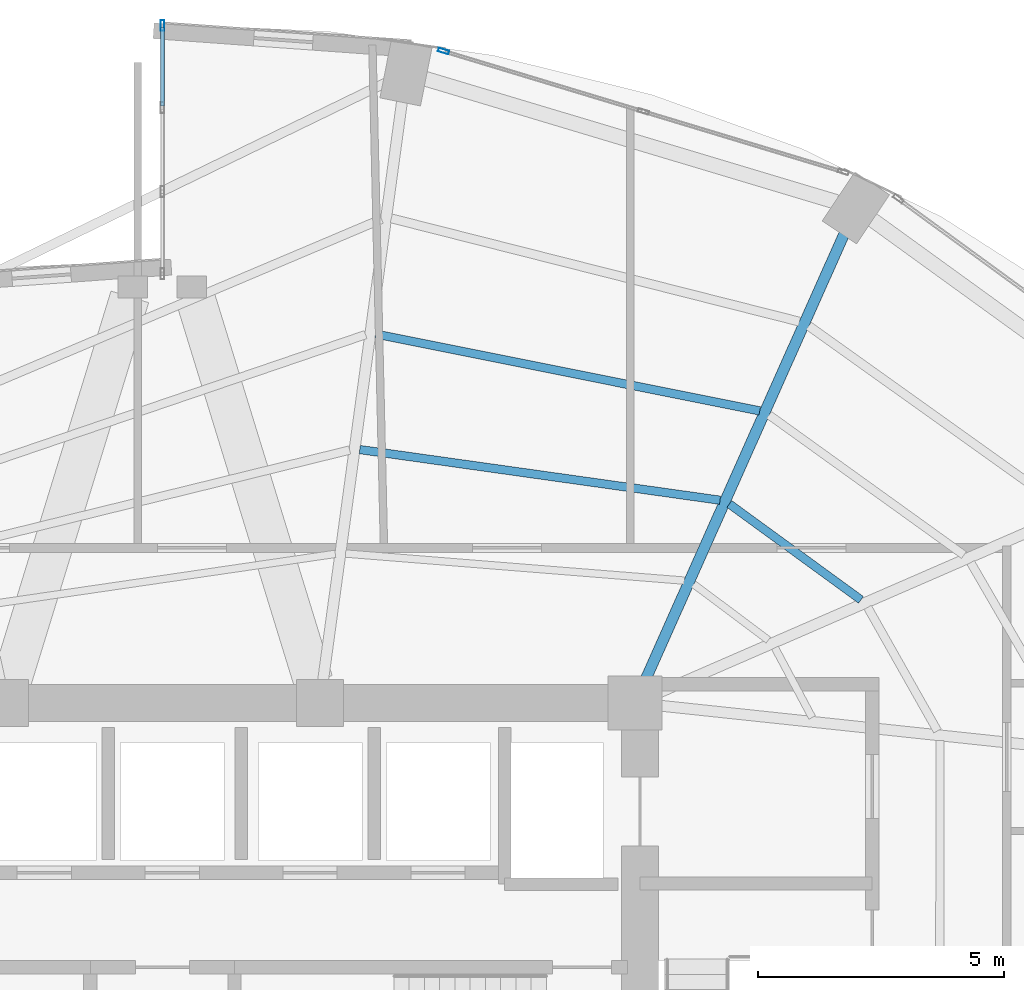
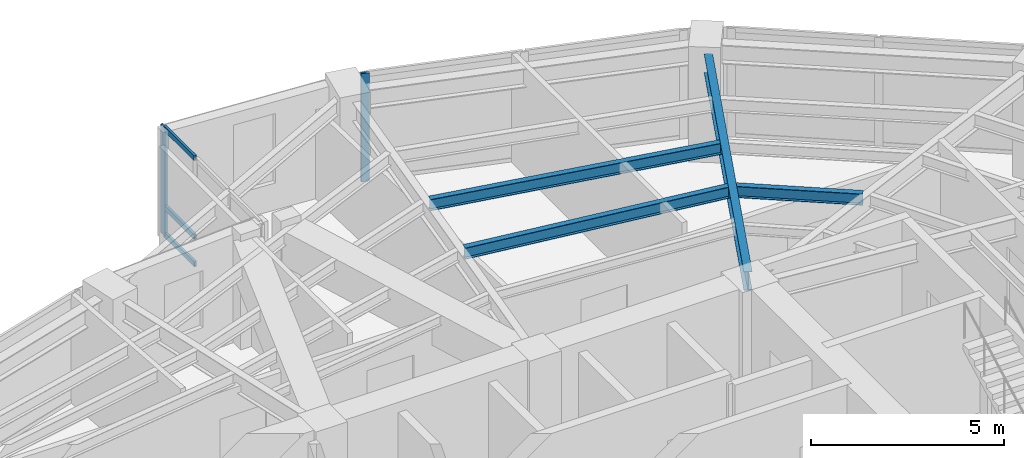
# One storey, part 16 of 24: 5 members, 4 beams, 2 elements without a shape of their own.
"""IFC4 building model written with IfcOpenShell, lengths in metres."""

from ifc_helpers import new_model, si_unit, direction, frame, origin, origin_2d, place, context, subcontext, project, spatial, hollow_rectangle, i_section, extrude, material, layer, layer_set, material_profile, profile_set, type_object, element, aggregate, save


model = new_model("IFC4")

# Units and contexts
model_context = context("Model", 3, precision=1e-05, world=origin(), true_north=direction((0.0, 1.0)))
body_context = subcontext(model_context, "Body", "Model", "MODEL_VIEW")
ifc_project = project(units=[si_unit("LENGTHUNIT", "METRE"), si_unit("AREAUNIT", "SQUARE_METRE"), si_unit("VOLUMEUNIT", "CUBIC_METRE"), si_unit("PLANEANGLEUNIT", "RADIAN"), si_unit("MASSUNIT", "GRAM", prefix="KILO")], contexts=[model_context])

# Site, building, storey
site_placement = place(None, origin())
site = spatial("IfcSite", under=ifc_project, at=site_placement, CompositionType="ELEMENT")
building_placement = place(site_placement, origin())
building = spatial("IfcBuilding", under=site, at=building_placement, Name="Lazwardi Medical Tower", CompositionType="ELEMENT")
storey_placement = place(building_placement, frame((0.0, 0.0, 103.632080078125)))
storey = spatial("IfcBuildingStorey", under=building, at=storey_placement, Name="L26", CompositionType="ELEMENT", Elevation=103.632080078125)

# Beams
ifc_material_1 = material(Name="Steel S355", Category="steel")
ifc_material_profile_1 = material_profile(ifc_material_1, i_section(OverallWidth=0.219970703125, OverallDepth=0.60009765625, WebThickness=0.011962890625, FlangeThickness=0.01904296875, at=origin_2d()), Name="IPE 600")
ifc_profile_set_1 = profile_set([ifc_material_profile_1], Name="Steel S355")
beam_type_1 = type_object("IfcBeamType", Name="BM-RG-W1", PredefinedType="BEAM", material=ifc_profile_set_1)
beam_1_placement = place(storey_placement, frame((49.847412109375, 45.127685546875, 3.1279296875), z_axis=(-0.407165924957, -0.913354208155, 0.0), x_axis=(0.913354208155, -0.407165924957, 0.0)))
element("IfcBeam", 1, at=beam_1_placement, inside=storey, type_object=beam_type_1, Name="Radial girder RG-02 R07 L26", PredefinedType="BEAM", context=body_context, shape_type="SweptSolid", body=[
    extrude(i_section(OverallWidth=0.219970703125, OverallDepth=0.60009765625, WebThickness=0.011962890625, FlangeThickness=0.01904296875, at=origin_2d()), origin(), (0.0, 0.0, 1.0), 9.896484375),
])
ifc_material_profile_2 = material_profile(ifc_material_1, i_section(OverallWidth=0.169921875, OverallDepth=0.360107421875, WebThickness=0.008056640625, FlangeThickness=0.0126953125, at=origin_2d()), Name="IPE 360")
ifc_profile_set_2 = profile_set([ifc_material_profile_2], Name="Steel S355")
beam_type_2 = type_object("IfcBeamType", Name="BM-SJ-02", PredefinedType="JOIST", material=ifc_profile_set_2)
beam_2_placement = place(storey_placement, frame((48.1328125, 41.53271484375, 3.247802734375), z_axis=(-0.980542906584, 0.196304886203, 0.0), x_axis=(-0.196304886203, -0.980542906584, 0.0)))
element("IfcBeam", 2, at=beam_2_placement, inside=storey, type_object=beam_type_2, Name="Secondary joist SJ-02 R2 B07 L26", PredefinedType="JOIST", context=body_context, shape_type="SweptSolid", body=[
    extrude(i_section(OverallWidth=0.169921875, OverallDepth=0.360107421875, WebThickness=0.008056640625, FlangeThickness=0.0126953125, at=origin_2d()), origin(), (0.0, 0.0, 1.0), 7.95947265625),
])
beam_3_placement = place(storey_placement, frame((50.18798828125, 37.6953125, 3.247802734375), z_axis=(-0.808301737247, 0.588768461761, 0.0), x_axis=(-0.588768461761, -0.808301737247, 0.0)))
element("IfcBeam", 3, at=beam_3_placement, inside=storey, type_object=beam_type_2, Name="Secondary joist SJ-02 R3 B06 L26", PredefinedType="JOIST", context=body_context, shape_type="SweptSolid", body=[
    extrude(i_section(OverallWidth=0.169921875, OverallDepth=0.360107421875, WebThickness=0.008056640625, FlangeThickness=0.0126953125, at=origin_2d()), origin(), (0.0, 0.0, 1.0), 3.307373046875),
])
beam_4_placement = place(storey_placement, frame((47.32568359375, 39.718994140625, 3.247802734375), z_axis=(-0.990260920731, 0.139223952222, 0.0), x_axis=(-0.139223952222, -0.990260920731, 0.0)))
element("IfcBeam", 4, at=beam_4_placement, inside=storey, type_object=beam_type_2, Name="Secondary joist SJ-02 R3 B07 L26", PredefinedType="JOIST", context=body_context, shape_type="SweptSolid", body=[
    extrude(i_section(OverallWidth=0.169921875, OverallDepth=0.360107421875, WebThickness=0.008056640625, FlangeThickness=0.0126953125, at=origin_2d()), origin(), (0.0, 0.0, 1.0), 7.3896484375),
])

# Curtain wall, member
ifc_material_2 = material(Name="Anodised bronze aluminium and solar control glazing", Category="aluminium")
ifc_layer_1 = layer(ifc_material_2, 0.195068359375)
ifc_layer_set_1 = layer_set([ifc_layer_1], Name="Anodised bronze aluminium and solar control glazing")
curtain_wall_type_1 = type_object("IfcCurtainWallType", Name="CW-SYS-03", PredefinedType="NOTDEFINED", material=ifc_layer_set_1)
curtain_wall_1_placement = place(storey_placement, origin())
curtain_wall_1 = element("IfcCurtainWall", 5, at=curtain_wall_1_placement, inside=storey, type_object=curtain_wall_type_1, Name="L26 Unitised bronze curtain wall CW-03", PredefinedType="NOTDEFINED")
ifc_material_3 = material(Name="Anodised bronze aluminium", Category="aluminium")
ifc_material_profile_3 = material_profile(ifc_material_3, hollow_rectangle(XDim=0.074951171875, YDim=0.219970703125, WallThickness=0.00390625, at=origin_2d()), Name="ALU-MULLION 220x75x4")
ifc_profile_set_3 = profile_set([ifc_material_profile_3], Name="Anodised bronze aluminium")
member_type_1 = type_object("IfcMemberType", Name="CW-MUL-01", PredefinedType="MULLION", material=ifc_profile_set_3)
member_1_placement = place(storey_placement, frame((41.710205078125, 48.840087890625, 0.0), z_axis=(0.0, 0.0, 1.0), x_axis=(-0.28937381157, -0.957216170558, 0.0)))
member_1 = element("IfcMember", 6, at=member_1_placement, type_object=member_type_1, Name="CW-03 mullion 3", PredefinedType="MULLION", context=body_context, shape_type="SweptSolid", body=[
    extrude(hollow_rectangle(XDim=0.074951171875, YDim=0.219970703125, WallThickness=0.00390625, at=origin_2d()), origin(), (0.0, 0.0, 1.0), 3.427978515625),
])
aggregate(curtain_wall_1, [member_1])

# Curtain wall, members
ifc_layer_2 = layer(ifc_material_2, 0.2099609375)
ifc_layer_set_2 = layer_set([ifc_layer_2], Name="Anodised bronze aluminium and solar control glazing")
curtain_wall_type_2 = type_object("IfcCurtainWallType", Name="CW-SYS-06", PredefinedType="NOTDEFINED", material=ifc_layer_set_2)
curtain_wall_2_placement = place(storey_placement, origin())
curtain_wall_2 = element("IfcCurtainWall", 7, at=curtain_wall_2_placement, inside=storey, type_object=curtain_wall_type_2, Name="L26 Unitised bronze curtain wall CW-06", PredefinedType="NOTDEFINED")
member_2_placement = place(storey_placement, frame((36.0, 49.362548828125, 0.0), z_axis=(0.0, 0.0, 1.0), x_axis=(1.0, 0.0, 0.0)))
member_2 = element("IfcMember", 8, at=member_2_placement, type_object=member_type_1, Name="CW-06 mullion 1", PredefinedType="MULLION", context=body_context, shape_type="SweptSolid", body=[
    extrude(hollow_rectangle(XDim=0.074951171875, YDim=0.219970703125, WallThickness=0.00390625, at=origin_2d()), origin(), (0.0, 0.0, 1.0), 3.427978515625),
])
ifc_material_profile_4 = material_profile(ifc_material_3, hollow_rectangle(XDim=0.074951171875, YDim=0.159912109375, WallThickness=0.00390625, at=origin_2d()), Name="ALU-TRANSOM 160x75x4")
ifc_profile_set_4 = profile_set([ifc_material_profile_4], Name="Anodised bronze aluminium")
member_type_2 = type_object("IfcMemberType", Name="CW-TRN-01", PredefinedType="USERDEFINED", material=ifc_profile_set_4)
member_3_placement = place(storey_placement, frame((36.0, 49.324951171875, 0.037353515625), z_axis=(0.0, -1.0, 0.0), x_axis=(1.0, 0.0, 0.0)))
member_3 = element("IfcMember", 9, at=member_3_placement, type_object=member_type_2, Name="CW-06 transom 1.1", ObjectType="TRANSOM", PredefinedType="USERDEFINED", context=body_context, shape_type="SweptSolid", body=[
    extrude(hollow_rectangle(XDim=0.074951171875, YDim=0.159912109375, WallThickness=0.00390625, at=origin_2d()), origin(), (0.0, 0.0, 1.0), 1.59423828125),
])
member_4_placement = place(storey_placement, frame((36.0, 49.324951171875, 0.89990234375), z_axis=(0.0, -1.0, 0.0), x_axis=(1.0, 0.0, 0.0)))
member_4 = element("IfcMember", 10, at=member_4_placement, type_object=member_type_2, Name="CW-06 transom 1.2", ObjectType="TRANSOM", PredefinedType="USERDEFINED", context=body_context, shape_type="SweptSolid", body=[
    extrude(hollow_rectangle(XDim=0.074951171875, YDim=0.159912109375, WallThickness=0.00390625, at=origin_2d()), origin(), (0.0, 0.0, 1.0), 1.59423828125),
])
member_5_placement = place(storey_placement, frame((36.0, 49.324951171875, 3.390380859375), z_axis=(0.0, -1.0, 0.0), x_axis=(1.0, 0.0, 0.0)))
member_5 = element("IfcMember", 11, at=member_5_placement, type_object=member_type_2, Name="CW-06 transom 1.3", ObjectType="TRANSOM", PredefinedType="USERDEFINED", context=body_context, shape_type="SweptSolid", body=[
    extrude(hollow_rectangle(XDim=0.074951171875, YDim=0.159912109375, WallThickness=0.00390625, at=origin_2d()), origin(), (0.0, 0.0, 1.0), 1.59423828125),
])
aggregate(curtain_wall_2, [member_2, member_3, member_4, member_5])

save(model, "model.ifc")
